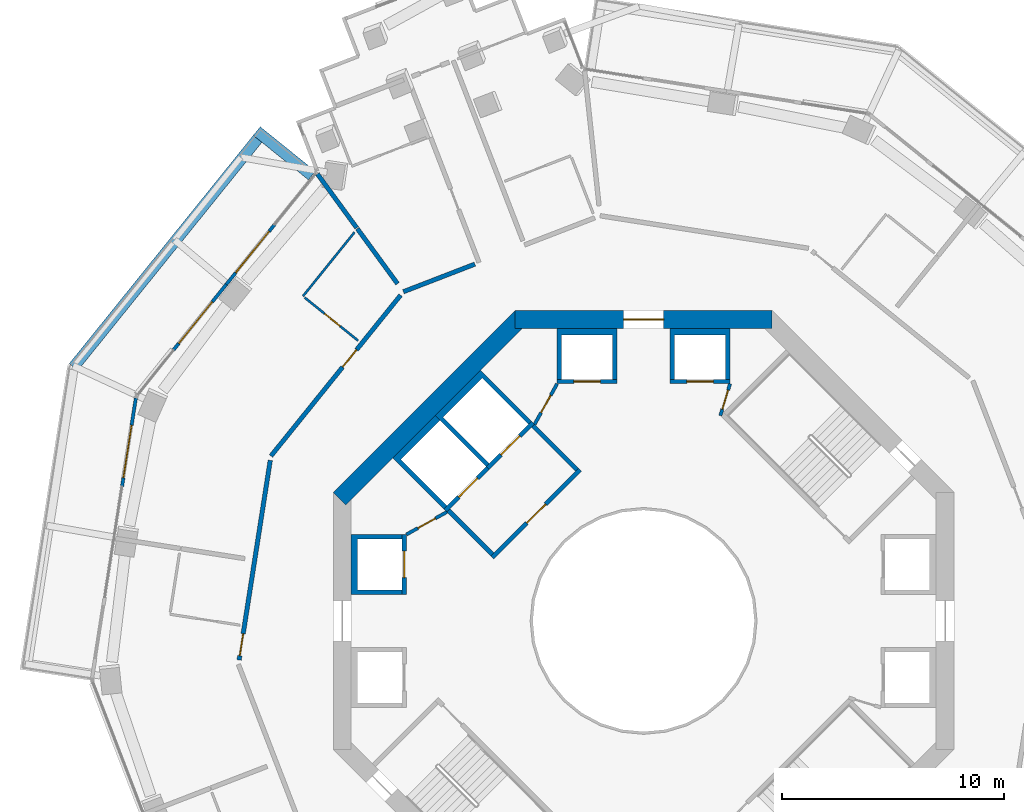
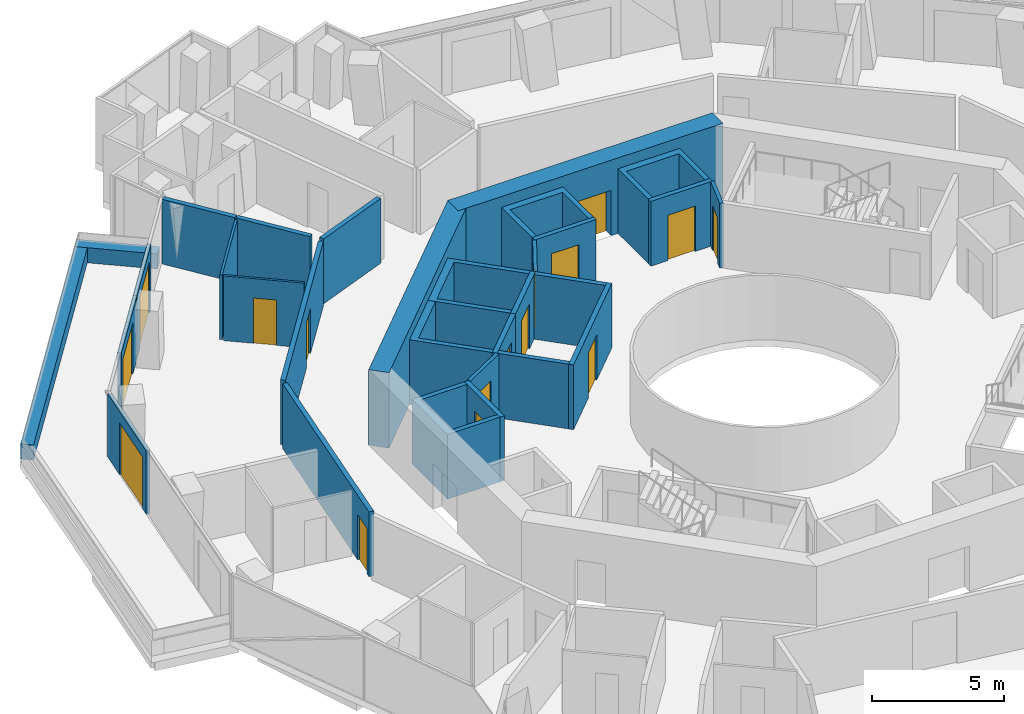
# One storey, part 18 of 23: 30 walls, 16 doors, 16 openings.
"""IFC4 building model written with IfcOpenShell, lengths in metres."""

from ifc_helpers import new_model, si_unit, direction, frame, frame_2d, origin, place, context, subcontext, project, spatial, polyline, rectangle, outline, extrude, material, layer, layer_set, type_object, element, fill, save


model = new_model("IFC4")

# Units and contexts
model_context = context("Model", 3, precision=1e-05, world=origin(), true_north=direction((0.0, 1.0)))
body_context = subcontext(model_context, "Body", "Model", "MODEL_VIEW")
ifc_project = project(units=[si_unit("LENGTHUNIT", "METRE"), si_unit("AREAUNIT", "SQUARE_METRE"), si_unit("VOLUMEUNIT", "CUBIC_METRE"), si_unit("PLANEANGLEUNIT", "RADIAN"), si_unit("MASSUNIT", "GRAM", prefix="KILO")], contexts=[model_context])

# Site, building, storey
site_placement = place(None, origin())
site = spatial("IfcSite", under=ifc_project, at=site_placement, CompositionType="ELEMENT")
building_placement = place(site_placement, origin())
building = spatial("IfcBuilding", under=site, at=building_placement, Name="Verdalira Terraces Hotel", CompositionType="ELEMENT")
storey_placement = place(building_placement, frame((0.0, 0.0, 118.5)))
storey = spatial("IfcBuildingStorey", under=building, at=storey_placement, Name="L28", CompositionType="ELEMENT", Elevation=118.5)

# Walls
ifc_material_1 = material(Name="Concrete C40", Category="concrete")
ifc_layer_1 = layer(ifc_material_1, 0.5)
ifc_layer_set_1 = layer_set([ifc_layer_1], Name="Balcony planter trough with tree")
wall_type_1 = type_object("IfcWallType", Name="Balcony planter trough with tree", PredefinedType="SOLIDWALL", material=ifc_layer_set_1)
wall_1_placement = place(storey_placement, frame((-14.961914, 20.092773, 0.0), z_axis=(0.0, 0.0, 1.0), x_axis=(-0.778443113, 0.627715158, 0.0)))
element("IfcWall", 1, at=wall_1_placement, inside=storey, type_object=wall_type_1, Name="Balcony planter", PredefinedType="SOLIDWALL", context=body_context, shape_type="SweptSolid", body=[
    extrude(rectangle(XDim=3.198975, YDim=0.5, at=frame_2d((1.599609, 0.0))), origin(), (0.0, 0.0, 1.0), 0.699951),
])
wall_2_placement = place(storey_placement, frame((-17.414551, 21.749268, 0.0), z_axis=(0.0, 0.0, 1.0), x_axis=(-0.627693988, -0.778460183, 0.0)))
element("IfcWall", 2, at=wall_2_placement, inside=storey, type_object=wall_type_1, Name="Balcony planter", PredefinedType="SOLIDWALL", context=body_context, shape_type="SweptSolid", body=[
    extrude(rectangle(XDim=13.223389, YDim=0.5, at=frame_2d((6.611816, 0.0))), origin(), (0.0, 0.0, 1.0), 0.699951),
])
ifc_material_2 = material(Name="Moisture-resistant gypsum board partition")
ifc_layer_2 = layer(ifc_material_2, 0.10009765625)
ifc_layer_set_2 = layer_set([ifc_layer_2], Name="Bathroom partition 100 mm")
wall_type_2 = type_object("IfcWallType", Name="Bathroom partition 100 mm", PredefinedType="PARTITIONING", material=ifc_layer_set_2)
wall_3_placement = place(storey_placement, frame((-15.367188, 14.649658, 0.0), z_axis=(0.0, 0.0, 1.0), x_axis=(0.627672573, 0.778477451, 0.0)))
element("IfcWall", 3, at=wall_3_placement, inside=storey, type_object=wall_type_2, Name="Bathroom partition", PredefinedType="PARTITIONING", context=body_context, shape_type="SweptSolid", body=[
    extrude(rectangle(XDim=3.704102, YDim=0.100098, at=frame_2d((1.852051, 0.0))), origin(), (0.0, 0.0, 1.0), 3.0),
])

# Wall, opening, door
wall_4_placement = place(storey_placement, frame((-15.289307, 14.586914, 0.0), z_axis=(0.0, 0.0, 1.0), x_axis=(0.778450282, -0.627706268, 0.0)))
wall_4 = element("IfcWall", 4, at=wall_4_placement, inside=storey, type_object=wall_type_2, Name="Bathroom partition", PredefinedType="PARTITIONING", context=body_context, shape_type="SweptSolid", body=[
    extrude(rectangle(XDim=3.099854, YDim=0.100098, at=frame_2d((1.549805, 0.0))), origin(), (0.0, 0.0, 1.0), 3.0),
])
opening_1_placement = place(wall_4_placement, frame((1.149902, 0.0, 0.0)))
opening_1 = element("IfcOpeningElement", 5, at=opening_1_placement, cuts=wall_4, Name="Opening L28-107", PredefinedType="OPENING", context=body_context, shape_type="SweptSolid", body=[
    extrude(rectangle(XDim=0.899902, YDim=2.100098, at=frame_2d((0.449951, 1.050049))), frame((0.0, 0.060059, 0.0), z_axis=(0.0, -1.0, 0.0), x_axis=(1.0, 0.0, 0.0)), (0.0, 0.0, 1.0), 0.120117),
])
ifc_material_3 = material(Name="Timber door", Category="wood")
door_type_1 = type_object("IfcDoorType", Name="Bathroom door 900 x 2100", OperationType="NOTDEFINED", PredefinedType="DOOR", material=ifc_material_3)
door_1_placement = place(opening_1_placement, origin())
door_1 = element("IfcDoor", 6, at=door_1_placement, inside=storey, type_object=door_type_1, Name="Bathroom door 2803", OperationType="SINGLE_SWING_LEFT", OverallHeight=2.10009765625, OverallWidth=0.89990234375, PredefinedType="DOOR", context=body_context, shape_type="SweptSolid", body=[
    extrude(rectangle(XDim=0.899902, YDim=2.100098, at=frame_2d((0.449951, 1.050049))), frame((0.0, 0.024902, 0.0), z_axis=(0.0, -1.0, 0.0), x_axis=(1.0, 0.0, 0.0)), (0.0, 0.0, 1.0), 0.050049),
])
fill(opening_1, door_1)

# Wall
ifc_material_4 = material(Name="Concrete C50", Category="concrete")
ifc_layer_3 = layer(ifc_material_4, 0.199951171875)
ifc_layer_set_3 = layer_set([ifc_layer_3], Name="Core RC wall 200 C50")
wall_type_3 = type_object("IfcWallType", Name="Core RC wall 200 C50", PredefinedType="SOLIDWALL", material=ifc_layer_set_3)
wall_5_placement = place(storey_placement, origin())
element("IfcWall", 7, at=wall_5_placement, inside=storey, type_object=wall_type_3, Name="L28 shaft wall N1", PredefinedType="SOLIDWALL", context=body_context, shape_type="SweptSolid", body=[
    extrude(outline(polyline([(3.899902, 13.199951), (3.899902, 10.899902), (3.699951, 10.899902), (3.699951, 12.899902), (1.399902, 12.899902), (1.399902, 10.899902), (1.199951, 10.899902), (1.199951, 13.199951), (3.899902, 13.199951)])), origin(), (0.0, 0.0, 1.0), 3.0),
])

# Wall, opening, door
wall_6_placement = place(storey_placement, frame((1.199951, 10.800049, 0.0), z_axis=(0.0, 0.0, 1.0), x_axis=(1.0, 0.0, 0.0)))
wall_6 = element("IfcWall", 8, at=wall_6_placement, inside=storey, type_object=wall_type_3, Name="L28 shaft front wall N1", PredefinedType="SOLIDWALL", context=body_context, shape_type="SweptSolid", body=[
    extrude(rectangle(XDim=2.699951, YDim=0.199951, at=frame_2d((1.350098, 0.0))), origin(), (0.0, 0.0, 1.0), 3.0),
])
opening_2_placement = place(wall_6_placement, frame((0.75, 0.0, 0.0)))
opening_2 = element("IfcOpeningElement", 9, at=opening_2_placement, cuts=wall_6, Name="Opening LD-L28-803", PredefinedType="OPENING", context=body_context, shape_type="SweptSolid", body=[
    extrude(rectangle(XDim=1.199951, YDim=2.100098, at=frame_2d((0.600098, 1.050049))), frame((0.0, 0.109863, 0.0), z_axis=(0.0, -1.0, 0.0), x_axis=(1.0, 0.0, 0.0)), (0.0, 0.0, 1.0), 0.219971),
])
ifc_material_5 = material(Name="Stainless steel", Category="steel")
door_type_2 = type_object("IfcDoorType", Name="Landing door 1200 x 2100", OperationType="NOTDEFINED", PredefinedType="DOOR", material=ifc_material_5)
door_2_placement = place(opening_2_placement, origin())
door_2 = element("IfcDoor", 10, at=door_2_placement, inside=storey, type_object=door_type_2, Name="Lift landing door LR3 L28", OperationType="DOUBLE_DOOR_SLIDING", OverallHeight=2.10009765625, OverallWidth=1.199951171875, PredefinedType="DOOR", context=body_context, shape_type="SweptSolid", body=[
    extrude(rectangle(XDim=1.199951, YDim=2.100098, at=frame_2d((0.600098, 1.050049))), frame((0.0, 0.024902, 0.0), z_axis=(0.0, -1.0, 0.0), x_axis=(1.0, 0.0, 0.0)), (0.0, 0.0, 1.0), 0.050049),
])
fill(opening_2, door_2)

# Wall
wall_7_placement = place(storey_placement, origin())
element("IfcWall", 11, at=wall_7_placement, inside=storey, type_object=wall_type_3, Name="L28 shaft wall N2", PredefinedType="SOLIDWALL", context=body_context, shape_type="SweptSolid", body=[
    extrude(outline(polyline([(-3.899902, 10.899902), (-3.899902, 13.199951), (-1.199951, 13.199951), (-1.199951, 10.899902), (-1.399902, 10.899902), (-1.399902, 12.899902), (-3.699951, 12.899902), (-3.699951, 10.899902), (-3.899902, 10.899902)])), origin(), (0.0, 0.0, 1.0), 3.0),
])

# Wall, opening, door
wall_8_placement = place(storey_placement, frame((-1.199951, 10.800049, 0.0), z_axis=(0.0, 0.0, 1.0), x_axis=(-1.0, 0.0, 0.0)))
wall_8 = element("IfcWall", 12, at=wall_8_placement, inside=storey, type_object=wall_type_3, Name="L28 shaft front wall N2", PredefinedType="SOLIDWALL", context=body_context, shape_type="SweptSolid", body=[
    extrude(rectangle(XDim=2.699951, YDim=0.199951, at=frame_2d((1.350098, 0.0))), origin(), (0.0, 0.0, 1.0), 3.0),
])
opening_3_placement = place(wall_8_placement, frame((0.75, 0.0, 0.0)))
opening_3 = element("IfcOpeningElement", 13, at=opening_3_placement, cuts=wall_8, Name="Opening LD-L28-804", PredefinedType="OPENING", context=body_context, shape_type="SweptSolid", body=[
    extrude(rectangle(XDim=1.199951, YDim=2.100098, at=frame_2d((0.600098, 1.050049))), frame((0.0, 0.109863, 0.0), z_axis=(0.0, -1.0, 0.0), x_axis=(1.0, 0.0, 0.0)), (0.0, 0.0, 1.0), 0.219971),
])
door_3_placement = place(opening_3_placement, origin())
door_3 = element("IfcDoor", 14, at=door_3_placement, inside=storey, type_object=door_type_2, Name="Lift landing door LR4 L28", OperationType="DOUBLE_DOOR_SLIDING", OverallHeight=2.10009765625, OverallWidth=1.199951171875, PredefinedType="DOOR", context=body_context, shape_type="SweptSolid", body=[
    extrude(rectangle(XDim=1.199951, YDim=2.100098, at=frame_2d((0.600098, 1.050049))), frame((0.0, 0.024902, 0.0), z_axis=(0.0, -1.0, 0.0), x_axis=(1.0, 0.0, 0.0)), (0.0, 0.0, 1.0), 0.050049),
])
fill(opening_3, door_3)

# Wall
wall_9_placement = place(storey_placement, origin())
element("IfcWall", 15, at=wall_9_placement, inside=storey, type_object=wall_type_3, Name="L28 shaft wall W1", PredefinedType="SOLIDWALL", context=body_context, shape_type="SweptSolid", body=[
    extrude(outline(polyline([(-13.199951, 3.899902), (-10.899902, 3.899902), (-10.899902, 3.699951), (-12.899902, 3.699951), (-12.899902, 1.399902), (-10.899902, 1.399902), (-10.899902, 1.199951), (-13.199951, 1.199951), (-13.199951, 3.899902)])), origin(), (0.0, 0.0, 1.0), 3.0),
])

# Wall, opening, door
wall_10_placement = place(storey_placement, frame((-10.800049, 1.199951, 0.0), z_axis=(0.0, 0.0, 1.0), x_axis=(0.0, 1.0, 0.0)))
wall_10 = element("IfcWall", 16, at=wall_10_placement, inside=storey, type_object=wall_type_3, Name="L28 shaft front wall W1", PredefinedType="SOLIDWALL", context=body_context, shape_type="SweptSolid", body=[
    extrude(rectangle(XDim=2.699951, YDim=0.199951, at=frame_2d((1.350098, 0.0))), origin(), (0.0, 0.0, 1.0), 3.0),
])
opening_4_placement = place(wall_10_placement, frame((0.75, 0.0, 0.0)))
opening_4 = element("IfcOpeningElement", 17, at=opening_4_placement, cuts=wall_10, Name="Opening LD-L28-805", PredefinedType="OPENING", context=body_context, shape_type="SweptSolid", body=[
    extrude(rectangle(XDim=1.199951, YDim=2.100098, at=frame_2d((0.600098, 1.050049))), frame((0.0, 0.109863, 0.0), z_axis=(0.0, -1.0, 0.0), x_axis=(1.0, 0.0, 0.0)), (0.0, 0.0, 1.0), 0.219971),
])
door_4_placement = place(opening_4_placement, origin())
door_4 = element("IfcDoor", 18, at=door_4_placement, inside=storey, type_object=door_type_2, Name="Lift landing door LR5 L28", OperationType="DOUBLE_DOOR_SLIDING", OverallHeight=2.10009765625, OverallWidth=1.199951171875, PredefinedType="DOOR", context=body_context, shape_type="SweptSolid", body=[
    extrude(rectangle(XDim=1.199951, YDim=2.100098, at=frame_2d((0.600098, 1.050049))), frame((0.0, 0.024902, 0.0), z_axis=(0.0, -1.0, 0.0), x_axis=(1.0, 0.0, 0.0)), (0.0, 0.0, 1.0), 0.050049),
])
fill(opening_4, door_4)

# Wall
wall_11_placement = place(storey_placement, origin())
element("IfcWall", 19, at=wall_11_placement, inside=storey, type_object=wall_type_3, Name="L28 shaft wall F1", PredefinedType="SOLIDWALL", context=body_context, shape_type="SweptSolid", body=[
    extrude(outline(polyline([(-9.404541, 9.263184), (-7.354004, 11.313721), (-5.055908, 9.015625), (-5.197266, 8.874268), (-7.283203, 10.960205), (-9.051025, 9.192383), (-6.965088, 7.106445), (-7.106445, 6.965088), (-9.404541, 9.263184)])), origin(), (0.0, 0.0, 1.0), 3.0),
])

# Wall, opening, door
wall_12_placement = place(storey_placement, frame((-4.985107, 8.944824, 0.0), z_axis=(0.0, 0.0, 1.0), x_axis=(-0.707106781, -0.707106781, 0.0)))
wall_12 = element("IfcWall", 20, at=wall_12_placement, inside=storey, type_object=wall_type_3, Name="L28 shaft front wall F1", PredefinedType="SOLIDWALL", context=body_context, shape_type="SweptSolid", body=[
    extrude(rectangle(XDim=2.899902, YDim=0.199951, at=frame_2d((1.449951, 0.0))), origin(), (0.0, 0.0, 1.0), 3.0),
])
opening_5_placement = place(wall_12_placement, frame((0.850098, 0.0, 0.0)))
opening_5 = element("IfcOpeningElement", 21, at=opening_5_placement, cuts=wall_12, Name="Opening LD-L28-807", PredefinedType="OPENING", context=body_context, shape_type="SweptSolid", body=[
    extrude(rectangle(XDim=1.199951, YDim=2.100098, at=frame_2d((0.600098, 1.050049))), frame((0.0, 0.109863, 0.0), z_axis=(0.0, -1.0, 0.0), x_axis=(1.0, 0.0, 0.0)), (0.0, 0.0, 1.0), 0.219971),
])
door_5_placement = place(opening_5_placement, origin())
door_5 = element("IfcDoor", 22, at=door_5_placement, inside=storey, type_object=door_type_2, Name="Lift landing door LF11 L28", OperationType="DOUBLE_DOOR_SLIDING", OverallHeight=2.10009765625, OverallWidth=1.199951171875, PredefinedType="DOOR", context=body_context, shape_type="SweptSolid", body=[
    extrude(rectangle(XDim=1.199951, YDim=2.100098, at=frame_2d((0.600098, 1.050049))), frame((0.0, 0.024902, 0.0), z_axis=(0.0, -1.0, 0.0), x_axis=(1.0, 0.0, 0.0)), (0.0, 0.0, 1.0), 0.050049),
])
fill(opening_5, door_5)

# Wall
wall_13_placement = place(storey_placement, origin())
element("IfcWall", 23, at=wall_13_placement, inside=storey, type_object=wall_type_3, Name="L28 shaft wall F2", PredefinedType="SOLIDWALL", context=body_context, shape_type="SweptSolid", body=[
    extrude(outline(polyline([(-11.313721, 7.354004), (-9.404541, 9.263184), (-9.192383, 9.051025), (-10.960205, 7.283203), (-8.874268, 5.197266), (-9.015625, 5.055908), (-11.313721, 7.354004)])), origin(), (0.0, 0.0, 1.0), 3.0),
])

# Wall, opening, door
wall_14_placement = place(storey_placement, frame((-7.035645, 6.894287, 0.0), z_axis=(0.0, 0.0, 1.0), x_axis=(-0.707106781, -0.707106781, 0.0)))
wall_14 = element("IfcWall", 24, at=wall_14_placement, inside=storey, type_object=wall_type_3, Name="L28 shaft front wall F2", PredefinedType="SOLIDWALL", context=body_context, shape_type="SweptSolid", body=[
    extrude(rectangle(XDim=2.699951, YDim=0.199951, at=frame_2d((1.350098, 0.0))), origin(), (0.0, 0.0, 1.0), 3.0),
])
opening_6_placement = place(wall_14_placement, frame((0.649902, 0.0, 0.0)))
opening_6 = element("IfcOpeningElement", 25, at=opening_6_placement, cuts=wall_14, Name="Opening LD-L28-808", PredefinedType="OPENING", context=body_context, shape_type="SweptSolid", body=[
    extrude(rectangle(XDim=1.199951, YDim=2.100098, at=frame_2d((0.600098, 1.050049))), frame((0.0, 0.109863, 0.0), z_axis=(0.0, -1.0, 0.0), x_axis=(1.0, 0.0, 0.0)), (0.0, 0.0, 1.0), 0.219971),
])
door_6_placement = place(opening_6_placement, origin())
door_6 = element("IfcDoor", 26, at=door_6_placement, inside=storey, type_object=door_type_2, Name="Lift landing door LF12 L28", OperationType="DOUBLE_DOOR_SLIDING", OverallHeight=2.10009765625, OverallWidth=1.199951171875, PredefinedType="DOOR", context=body_context, shape_type="SweptSolid", body=[
    extrude(rectangle(XDim=1.199951, YDim=2.100098, at=frame_2d((0.600098, 1.050049))), frame((0.0, 0.024902, 0.0), z_axis=(0.0, -1.0, 0.0), x_axis=(1.0, 0.0, 0.0)), (0.0, 0.0, 1.0), 0.050049),
])
fill(opening_6, door_6)

wall_15_placement = place(storey_placement, frame((-2.86377, 6.823486, 0.0), z_axis=(0.0, 0.0, 1.0), x_axis=(-0.707106781, -0.707106781, 0.0)))
wall_15 = element("IfcWall", 27, at=wall_15_placement, inside=storey, type_object=wall_type_3, Name="L28 fire lobby wall", PredefinedType="SOLIDWALL", context=body_context, shape_type="SweptSolid", body=[
    extrude(rectangle(XDim=5.599854, YDim=0.199951, at=frame_2d((2.799805, 0.0))), origin(), (0.0, 0.0, 1.0), 3.0),
])
opening_7_placement = place(wall_15_placement, frame((2.199951, 0.0, 0.0)))
opening_7 = element("IfcOpeningElement", 28, at=opening_7_placement, cuts=wall_15, Name="Opening L28-819", PredefinedType="OPENING", context=body_context, shape_type="SweptSolid", body=[
    extrude(rectangle(XDim=1.199951, YDim=2.100098, at=frame_2d((0.600098, 1.050049))), frame((0.0, 0.109863, 0.0), z_axis=(0.0, -1.0, 0.0), x_axis=(1.0, 0.0, 0.0)), (0.0, 0.0, 1.0), 0.219971),
])
ifc_material_6 = material(Name="Steel fire door", Category="steel")
door_type_3 = type_object("IfcDoorType", Name="Lobby door 1200 x 2100", OperationType="NOTDEFINED", PredefinedType="DOOR", material=ifc_material_6)
door_7_placement = place(opening_7_placement, origin())
door_7 = element("IfcDoor", 29, at=door_7_placement, inside=storey, type_object=door_type_3, Name="Fire lobby door L28", OperationType="SINGLE_SWING_LEFT", OverallHeight=2.10009765625, OverallWidth=1.199951171875, PredefinedType="DOOR", context=body_context, shape_type="SweptSolid", body=[
    extrude(rectangle(XDim=1.199951, YDim=2.100098, at=frame_2d((0.600098, 1.050049))), frame((0.0, 0.024902, 0.0), z_axis=(0.0, -1.0, 0.0), x_axis=(1.0, 0.0, 0.0)), (0.0, 0.0, 1.0), 0.050049),
])
fill(opening_7, door_7)

# Walls
for number, where, z_axis, x_axis, name in (
    (30, (-3.005127, 6.823486, 0.0), (0.0, 0.0, 1.0), (-0.707106781, 0.707106781, 0.0), "L28 fire lobby wall"),
    (31, (-6.823486, 3.005127, 0.0), (0.0, 0.0, 1.0), (-0.707106781, 0.707106781, 0.0), "L28 fire lobby wall"),
):
    element("IfcWall", number, at=place(storey_placement, frame(where, z_axis=z_axis, x_axis=x_axis)), inside=storey, type_object=wall_type_3, Name=name, PredefinedType="SOLIDWALL", context=body_context, shape_type="SweptSolid", body=[
        extrude(rectangle(XDim=2.800049, YDim=0.199951, at=frame_2d((1.399902, 0.0))), origin(), (0.0, 0.0, 1.0), 3.0),
    ])

# Wall, opening, door
ifc_material_7 = material(Name="Gypsum board partition")
ifc_layer_4 = layer(ifc_material_7, 0.14990234375)
ifc_layer_set_4 = layer_set([ifc_layer_4], Name="Core partition 150 mm")
wall_type_4 = type_object("IfcWallType", Name="Core partition 150 mm", PredefinedType="PARTITIONING", material=ifc_layer_set_4)
wall_16_placement = place(storey_placement, frame((3.464844, 9.263184, 0.0), z_axis=(0.0, 0.0, 1.0), x_axis=(0.289808785, 0.957084567, 0.0)))
wall_16 = element("IfcWall", 32, at=wall_16_placement, inside=storey, type_object=wall_type_4, Name="Room partition L28", PredefinedType="PARTITIONING", context=body_context, shape_type="SweptSolid", body=[
    extrude(rectangle(XDim=1.501221, YDim=0.149902, at=frame_2d((0.750488, 0.0))), origin(), (0.0, 0.0, 1.0), 3.0),
])
opening_8_placement = place(wall_16_placement, frame((0.300781, 0.0, 0.0)))
opening_8 = element("IfcOpeningElement", 33, at=opening_8_placement, cuts=wall_16, Name="Opening L28-820", PredefinedType="OPENING", context=body_context, shape_type="SweptSolid", body=[
    extrude(rectangle(XDim=0.899902, YDim=2.100098, at=frame_2d((0.449951, 1.050049))), frame((0.0, 0.084961, 0.0), z_axis=(0.0, -1.0, 0.0), x_axis=(1.0, 0.0, 0.0)), (0.0, 0.0, 1.0), 0.169922),
])
ifc_material_8 = material(Name="Steel fire door", Category="steel")
door_type_4 = type_object("IfcDoorType", Name="Core room door 900 x 2100", OperationType="NOTDEFINED", PredefinedType="DOOR", material=ifc_material_8)
door_8_placement = place(opening_8_placement, origin())
door_8 = element("IfcDoor", 34, at=door_8_placement, inside=storey, type_object=door_type_4, Name="Door L28 room1", OperationType="SINGLE_SWING_LEFT", OverallHeight=2.10009765625, OverallWidth=0.89990234375, PredefinedType="DOOR", context=body_context, shape_type="SweptSolid", body=[
    extrude(rectangle(XDim=0.899902, YDim=2.100098, at=frame_2d((0.449951, 1.050049))), frame((0.0, 0.024902, 0.0), z_axis=(0.0, -1.0, 0.0), x_axis=(1.0, 0.0, 0.0)), (0.0, 0.0, 1.0), 0.050049),
])
fill(opening_8, door_8)

wall_17_placement = place(storey_placement, frame((-3.899902, 10.699951, 0.0), z_axis=(0.0, 0.0, 1.0), x_axis=(-0.485692555, -0.874129705, 0.0)))
wall_17 = element("IfcWall", 35, at=wall_17_placement, inside=storey, type_object=wall_type_4, Name="Room partition L28", PredefinedType="PARTITIONING", context=body_context, shape_type="SweptSolid", body=[
    extrude(rectangle(XDim=2.088623, YDim=0.149902, at=frame_2d((1.044434, 0.0))), origin(), (0.0, 0.0, 1.0), 3.0),
])
opening_9_placement = place(wall_17_placement, frame((0.594238, 0.0, 0.0)))
opening_9 = element("IfcOpeningElement", 36, at=opening_9_placement, cuts=wall_17, Name="Opening L28-821", PredefinedType="OPENING", context=body_context, shape_type="SweptSolid", body=[
    extrude(rectangle(XDim=0.899902, YDim=2.100098, at=frame_2d((0.449951, 1.050049))), frame((0.0, 0.084961, 0.0), z_axis=(0.0, -1.0, 0.0), x_axis=(1.0, 0.0, 0.0)), (0.0, 0.0, 1.0), 0.169922),
])
door_9_placement = place(opening_9_placement, origin())
door_9 = element("IfcDoor", 37, at=door_9_placement, inside=storey, type_object=door_type_4, Name="Door L28 room2", OperationType="SINGLE_SWING_LEFT", OverallHeight=2.10009765625, OverallWidth=0.89990234375, PredefinedType="DOOR", context=body_context, shape_type="SweptSolid", body=[
    extrude(rectangle(XDim=0.899902, YDim=2.100098, at=frame_2d((0.449951, 1.050049))), frame((0.0, 0.024902, 0.0), z_axis=(0.0, -1.0, 0.0), x_axis=(1.0, 0.0, 0.0)), (0.0, 0.0, 1.0), 0.050049),
])
fill(opening_9, door_9)

wall_18_placement = place(storey_placement, frame((-8.874268, 4.914307, 0.0), z_axis=(0.0, 0.0, 1.0), x_axis=(-0.874129705, -0.485692555, 0.0)))
wall_18 = element("IfcWall", 38, at=wall_18_placement, inside=storey, type_object=wall_type_4, Name="Room partition L28", PredefinedType="PARTITIONING", context=body_context, shape_type="SweptSolid", body=[
    extrude(rectangle(XDim=2.088623, YDim=0.149902, at=frame_2d((1.044434, 0.0))), origin(), (0.0, 0.0, 1.0), 3.0),
])
opening_10_placement = place(wall_18_placement, frame((0.594238, 0.0, 0.0)))
opening_10 = element("IfcOpeningElement", 39, at=opening_10_placement, cuts=wall_18, Name="Opening L28-822", PredefinedType="OPENING", context=body_context, shape_type="SweptSolid", body=[
    extrude(rectangle(XDim=0.899902, YDim=2.100098, at=frame_2d((0.449951, 1.050049))), frame((0.0, 0.084961, 0.0), z_axis=(0.0, -1.0, 0.0), x_axis=(1.0, 0.0, 0.0)), (0.0, 0.0, 1.0), 0.169922),
])
door_10_placement = place(opening_10_placement, origin())
door_10 = element("IfcDoor", 40, at=door_10_placement, inside=storey, type_object=door_type_4, Name="Door L28 room3", OperationType="SINGLE_SWING_LEFT", OverallHeight=2.10009765625, OverallWidth=0.89990234375, PredefinedType="DOOR", context=body_context, shape_type="SweptSolid", body=[
    extrude(rectangle(XDim=0.899902, YDim=2.100098, at=frame_2d((0.449951, 1.050049))), frame((0.0, 0.024902, 0.0), z_axis=(0.0, -1.0, 0.0), x_axis=(1.0, 0.0, 0.0)), (0.0, 0.0, 1.0), 0.050049),
])
fill(opening_10, door_10)

ifc_material_9 = material(Name="Concrete C70", Category="concrete")
ifc_layer_5 = layer(ifc_material_9, 0.800048828125)
ifc_layer_set_5 = layer_set([ifc_layer_5], Name="Core wall 800 C70")
wall_type_5 = type_object("IfcWallType", Name="Core wall 800 C70", PredefinedType="SHEAR", material=ifc_layer_set_5)
wall_19_placement = place(storey_placement, frame((5.799072, 13.600098, 0.0), z_axis=(0.0, 0.0, 1.0), x_axis=(-1.0, 0.0, 0.0)))
wall_19 = element("IfcWall", 41, at=wall_19_placement, inside=storey, type_object=wall_type_5, Name="Core wall CW-L28-3", PredefinedType="SHEAR", context=body_context, shape_type="SweptSolid", body=[
    extrude(rectangle(XDim=11.598145, YDim=0.800049, at=frame_2d((5.799072, 0.0))), origin(), (0.0, 0.0, 1.0), 3.5),
])
opening_11_placement = place(wall_19_placement, frame((4.898926, 0.0, 0.0)))
opening_11 = element("IfcOpeningElement", 42, at=opening_11_placement, cuts=wall_19, Name="Opening L28-813", PredefinedType="OPENING", context=body_context, shape_type="SweptSolid", body=[
    extrude(rectangle(XDim=1.800049, YDim=2.100098, at=frame_2d((0.899902, 1.050049))), frame((0.0, 0.409912, 0.0), z_axis=(0.0, -1.0, 0.0), x_axis=(1.0, 0.0, 0.0)), (0.0, 0.0, 1.0), 0.820068),
])
ifc_material_10 = material(Name="Steel fire door", Category="steel")
door_type_5 = type_object("IfcDoorType", Name="Core entry door pair 1800 x 2100", OperationType="NOTDEFINED", PredefinedType="DOOR", material=ifc_material_10)
door_11_placement = place(opening_11_placement, origin())
door_11 = element("IfcDoor", 43, at=door_11_placement, inside=storey, type_object=door_type_5, Name="Core entry door L28 2", OperationType="DOUBLE_DOOR_SINGLE_SWING", OverallHeight=2.10009765625, OverallWidth=1.800048828125, PredefinedType="DOOR", context=body_context, shape_type="SweptSolid", body=[
    extrude(rectangle(XDim=1.800049, YDim=2.100098, at=frame_2d((0.899902, 1.050049))), frame((0.0, 0.024902, 0.0), z_axis=(0.0, -1.0, 0.0), x_axis=(1.0, 0.0, 0.0)), (0.0, 0.0, 1.0), 0.050049),
])
fill(opening_11, door_11)

# Walls
wall_20_placement = place(storey_placement, frame((-5.516113, 13.717285, 0.0), z_axis=(0.0, 0.0, 1.0), x_axis=(-0.707106781, -0.707106781, 0.0)))
element("IfcWall", 44, at=wall_20_placement, inside=storey, type_object=wall_type_5, Name="Core wall CW-L28-4", PredefinedType="SHEAR", context=body_context, shape_type="SweptSolid", body=[
    extrude(rectangle(XDim=11.598145, YDim=0.800049, at=frame_2d((5.799072, 0.0))), origin(), (0.0, 0.0, 1.0), 3.5),
])
ifc_material_11 = material(Name="Fire-rated gypsum board wall")
ifc_layer_6 = layer(ifc_material_11, 0.199951171875)
ifc_layer_set_6 = layer_set([ifc_layer_6], Name="Demising wall 200 mm")
wall_type_6 = type_object("IfcWallType", Name="Demising wall 200 mm", PredefinedType="SOLIDWALL", material=ifc_layer_set_6)
wall_21_placement = place(storey_placement, frame((-12.940674, 17.73291, 0.0), z_axis=(0.0, 0.0, 1.0), x_axis=(-0.58946764, 0.807791991, 0.0)))
element("IfcWall", 45, at=wall_21_placement, inside=storey, type_object=wall_type_6, Name="Demising wall", PredefinedType="SOLIDWALL", context=body_context, shape_type="SweptSolid", body=[
    extrude(rectangle(XDim=3.011475, YDim=0.199951, at=frame_2d((1.505859, 0.0))), origin(), (0.0, 0.0, 1.0), 3.0),
])
wall_22_placement = place(storey_placement, frame((-11.101074, 15.212158, 0.0), z_axis=(0.0, 0.0, 1.0), x_axis=(-0.589492876, 0.807773576, 0.0)))
element("IfcWall", 46, at=wall_22_placement, inside=storey, type_object=wall_type_6, Name="Demising wall", PredefinedType="SOLIDWALL", context=body_context, shape_type="SweptSolid", body=[
    extrude(rectangle(XDim=3.074707, YDim=0.199951, at=frame_2d((1.537354, 0.0))), origin(), (0.0, 0.0, 1.0), 3.0),
])

# Wall, opening, door
ifc_material_12 = material(Name="Fire-rated gypsum board wall")
ifc_layer_7 = layer(ifc_material_12, 0.199951171875)
ifc_layer_set_7 = layer_set([ifc_layer_7], Name="Guest corridor wall 200 mm")
wall_type_7 = type_object("IfcWallType", Name="Guest corridor wall 200 mm", PredefinedType="SOLIDWALL", material=ifc_layer_set_7)
wall_23_placement = place(storey_placement, frame((-18.249023, -1.761963, 0.0), z_axis=(0.0, 0.0, 1.0), x_axis=(0.154375246, 0.988012289, 0.0)))
wall_23 = element("IfcWall", 47, at=wall_23_placement, inside=storey, type_object=wall_type_7, Name="Guest corridor wall", PredefinedType="SOLIDWALL", context=body_context, shape_type="SweptSolid", body=[
    extrude(rectangle(XDim=9.115723, YDim=0.199951, at=frame_2d((4.557861, 0.0))), origin(), (0.0, 0.0, 1.0), 3.0),
])
opening_12_placement = place(wall_23_placement, frame((0.199951, 0.0, 0.0)))
opening_12 = element("IfcOpeningElement", 48, at=opening_12_placement, cuts=wall_23, Name="Opening L28-108", PredefinedType="OPENING", context=body_context, shape_type="SweptSolid", body=[
    extrude(rectangle(XDim=1.0, YDim=2.100098, at=frame_2d((0.5, 1.050049))), frame((0.0, 0.109863, 0.0), z_axis=(0.0, -1.0, 0.0), x_axis=(1.0, 0.0, 0.0)), (0.0, 0.0, 1.0), 0.219971),
])
ifc_material_13 = material(Name="Timber fire door", Category="wood")
door_type_6 = type_object("IfcDoorType", Name="Guest entry door 1000 x 2100", OperationType="NOTDEFINED", PredefinedType="DOOR", material=ifc_material_13)
door_12_placement = place(opening_12_placement, origin())
door_12 = element("IfcDoor", 49, at=door_12_placement, inside=storey, type_object=door_type_6, Name="Guest entry door 2804", OperationType="SINGLE_SWING_LEFT", OverallHeight=2.10009765625, OverallWidth=1.0, PredefinedType="DOOR", context=body_context, shape_type="SweptSolid", body=[
    extrude(rectangle(XDim=1.0, YDim=2.100098, at=frame_2d((0.5, 1.050049))), frame((0.0, 0.024902, 0.0), z_axis=(0.0, -1.0, 0.0), x_axis=(1.0, 0.0, 0.0)), (0.0, 0.0, 1.0), 0.050049),
])
fill(opening_12, door_12)

wall_24_placement = place(storey_placement, frame((-16.810547, 7.443115, 0.0), z_axis=(0.0, 0.0, 1.0), x_axis=(0.627694567, 0.778459716, 0.0)))
wall_24 = element("IfcWall", 50, at=wall_24_placement, inside=storey, type_object=wall_type_7, Name="Guest corridor wall", PredefinedType="SOLIDWALL", context=body_context, shape_type="SweptSolid", body=[
    extrude(rectangle(XDim=9.316162, YDim=0.199951, at=frame_2d((4.658203, 0.0))), origin(), (0.0, 0.0, 1.0), 3.0),
])
opening_13_placement = place(wall_24_placement, frame((5.149902, 0.0, 0.0)))
opening_13 = element("IfcOpeningElement", 51, at=opening_13_placement, cuts=wall_24, Name="Opening L28-106", PredefinedType="OPENING", context=body_context, shape_type="SweptSolid", body=[
    extrude(rectangle(XDim=1.0, YDim=2.100098, at=frame_2d((0.5, 1.050049))), frame((0.0, 0.109863, 0.0), z_axis=(0.0, -1.0, 0.0), x_axis=(1.0, 0.0, 0.0)), (0.0, 0.0, 1.0), 0.219971),
])
door_13_placement = place(opening_13_placement, origin())
door_13 = element("IfcDoor", 52, at=door_13_placement, inside=storey, type_object=door_type_6, Name="Guest entry door 2803", OperationType="SINGLE_SWING_LEFT", OverallHeight=2.10009765625, OverallWidth=1.0, PredefinedType="DOOR", context=body_context, shape_type="SweptSolid", body=[
    extrude(rectangle(XDim=1.0, YDim=2.100098, at=frame_2d((0.5, 1.050049))), frame((0.0, 0.024902, 0.0), z_axis=(0.0, -1.0, 0.0), x_axis=(1.0, 0.0, 0.0)), (0.0, 0.0, 1.0), 0.050049),
])
fill(opening_13, door_13)

# Wall
wall_25_placement = place(storey_placement, frame((-7.611328, 16.096924, 0.0), z_axis=(0.0, 0.0, 1.0), x_axis=(-0.932831571, -0.360312724, 0.0)))
element("IfcWall", 53, at=wall_25_placement, inside=storey, type_object=wall_type_7, Name="Guest corridor wall", PredefinedType="SOLIDWALL", context=body_context, shape_type="SweptSolid", body=[
    extrude(rectangle(XDim=3.458252, YDim=0.199951, at=frame_2d((1.729004, 0.0))), origin(), (0.0, 0.0, 1.0), 3.0),
])

# Wall, opening, door
ifc_material_14 = material(Name="Terracotta cladding", Category="masonry")
ifc_layer_8 = layer(ifc_material_14, 0.14990234375)
ifc_layer_set_8 = layer_set([ifc_layer_8], Name="Terracotta door pier 150")
wall_type_8 = type_object("IfcWallType", Name="Terracotta door pier 150", PredefinedType="SOLIDWALL", material=ifc_layer_set_8)
wall_26_placement = place(storey_placement, frame((-16.644531, 17.884766, 0.0), z_axis=(0.0, 0.0, 1.0), x_axis=(-0.627731853, -0.778429651, 0.0)))
wall_26 = element("IfcWall", 54, at=wall_26_placement, inside=storey, type_object=wall_type_8, Name="Terracotta door pier", PredefinedType="SOLIDWALL", context=body_context, shape_type="SweptSolid", body=[
    extrude(rectangle(XDim=3.475098, YDim=0.149902, at=frame_2d((1.737549, 0.0))), origin(), (0.0, 0.0, 1.0), 2.935059),
])
opening_14_placement = place(wall_26_placement, frame((0.399902, 0.0, 0.0)))
opening_14 = element("IfcOpeningElement", 55, at=opening_14_placement, cuts=wall_26, Name="Opening L28-B01", PredefinedType="OPENING", context=body_context, shape_type="SweptSolid", body=[
    extrude(rectangle(XDim=2.399902, YDim=2.399902, at=frame_2d((1.199951, 1.199951))), frame((0.0, 0.084961, 0.0), z_axis=(0.0, -1.0, 0.0), x_axis=(1.0, 0.0, 0.0)), (0.0, 0.0, 1.0), 0.169922),
])
ifc_material_15 = material(Name="Clear glass", Category="glass")
door_type_7 = type_object("IfcDoorType", Name="Balcony sliding door 2400x2400", OperationType="NOTDEFINED", PredefinedType="DOOR", material=ifc_material_15)
door_14_placement = place(opening_14_placement, origin())
door_14 = element("IfcDoor", 56, at=door_14_placement, inside=storey, type_object=door_type_7, Name="Balcony sliding door", OperationType="SLIDING_TO_RIGHT", OverallHeight=2.39990234375, OverallWidth=2.39990234375, PredefinedType="DOOR", context=body_context, shape_type="SweptSolid", body=[
    extrude(rectangle(XDim=2.399902, YDim=2.399902, at=frame_2d((1.199951, 1.199951))), frame((0.0, 0.024902, 0.0), z_axis=(0.0, -1.0, 0.0), x_axis=(1.0, 0.0, 0.0)), (0.0, 0.0, 1.0), 0.050049),
])
fill(opening_14, door_14)

wall_27_placement = place(storey_placement, frame((-18.825928, 15.179688, 0.0), z_axis=(0.0, 0.0, 1.0), x_axis=(-0.627703654, -0.77845239, 0.0)))
wall_27 = element("IfcWall", 57, at=wall_27_placement, inside=storey, type_object=wall_type_8, Name="Terracotta door pier", PredefinedType="SOLIDWALL", context=body_context, shape_type="SweptSolid", body=[
    extrude(rectangle(XDim=3.813965, YDim=0.149902, at=frame_2d((1.906982, 0.0))), origin(), (0.0, 0.0, 1.0), 2.935059),
])
opening_15_placement = place(wall_27_placement, frame((1.013916, 0.0, 0.0)))
opening_15 = element("IfcOpeningElement", 58, at=opening_15_placement, cuts=wall_27, Name="Opening L28-B02", PredefinedType="OPENING", context=body_context, shape_type="SweptSolid", body=[
    extrude(rectangle(XDim=2.399902, YDim=2.399902, at=frame_2d((1.199951, 1.199951))), frame((0.0, 0.084961, 0.0), z_axis=(0.0, -1.0, 0.0), x_axis=(1.0, 0.0, 0.0)), (0.0, 0.0, 1.0), 0.169922),
])
door_15_placement = place(opening_15_placement, origin())
door_15 = element("IfcDoor", 59, at=door_15_placement, inside=storey, type_object=door_type_7, Name="Balcony sliding door", OperationType="SLIDING_TO_LEFT", OverallHeight=2.39990234375, OverallWidth=2.39990234375, PredefinedType="DOOR", context=body_context, shape_type="SweptSolid", body=[
    extrude(rectangle(XDim=2.399902, YDim=2.399902, at=frame_2d((1.199951, 1.199951))), frame((0.0, 0.024902, 0.0), z_axis=(0.0, -1.0, 0.0), x_axis=(1.0, 0.0, 0.0)), (0.0, 0.0, 1.0), 0.050049),
])
fill(opening_15, door_15)

wall_28_placement = place(storey_placement, frame((-22.905518, 10.056152, 0.0), z_axis=(0.0, 0.0, 1.0), x_axis=(-0.154391604, -0.988009733, 0.0)))
wall_28 = element("IfcWall", 60, at=wall_28_placement, inside=storey, type_object=wall_type_8, Name="Terracotta door pier", PredefinedType="SOLIDWALL", context=body_context, shape_type="SweptSolid", body=[
    extrude(rectangle(XDim=4.046631, YDim=0.149902, at=frame_2d((2.023438, 0.0))), origin(), (0.0, 0.0, 1.0), 2.935059),
])
opening_16_placement = place(wall_28_placement, frame((1.246582, 0.0, 0.0)))
opening_16 = element("IfcOpeningElement", 61, at=opening_16_placement, cuts=wall_28, Name="Opening L28-B03", PredefinedType="OPENING", context=body_context, shape_type="SweptSolid", body=[
    extrude(rectangle(XDim=2.399902, YDim=2.399902, at=frame_2d((1.199951, 1.199951))), frame((0.0, 0.084961, 0.0), z_axis=(0.0, -1.0, 0.0), x_axis=(1.0, 0.0, 0.0)), (0.0, 0.0, 1.0), 0.169922),
])
door_16_placement = place(opening_16_placement, origin())
door_16 = element("IfcDoor", 62, at=door_16_placement, inside=storey, type_object=door_type_7, Name="Balcony sliding door", OperationType="SLIDING_TO_LEFT", OverallHeight=2.39990234375, OverallWidth=2.39990234375, PredefinedType="DOOR", context=body_context, shape_type="SweptSolid", body=[
    extrude(rectangle(XDim=2.399902, YDim=2.399902, at=frame_2d((1.199951, 1.199951))), frame((0.0, 0.024902, 0.0), z_axis=(0.0, -1.0, 0.0), x_axis=(1.0, 0.0, 0.0)), (0.0, 0.0, 1.0), 0.050049),
])
fill(opening_16, door_16)

save(model, "model.ifc")
